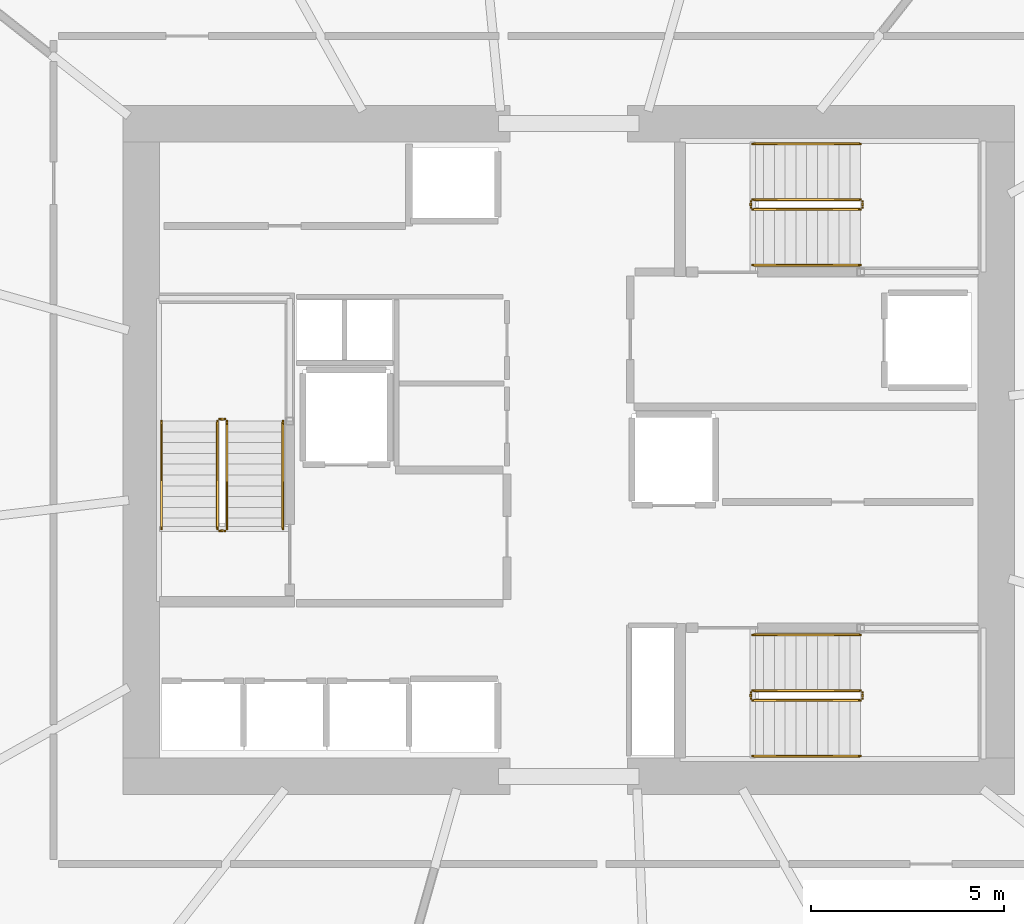
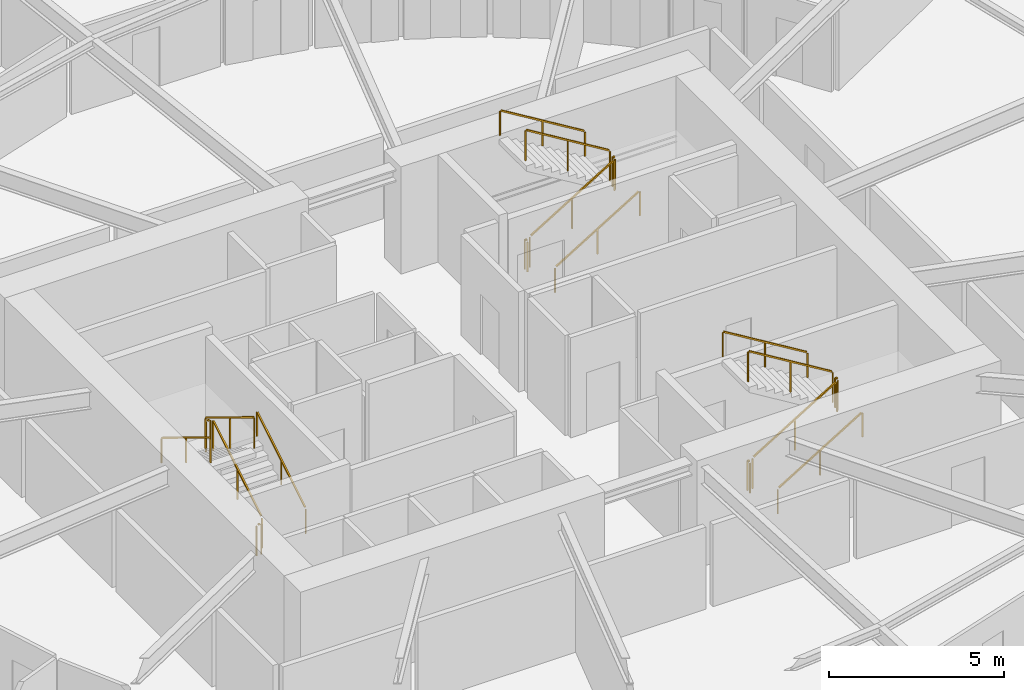
# One storey, part 22 of 22: 18 railings.
"""IFC4 building model written with IfcOpenShell, lengths in metres."""

from ifc_helpers import new_model, si_unit, direction, frame, origin, origin_2d, place, context, subcontext, project, spatial, rectangle, extrude, material, type_object, element, save


model = new_model("IFC4")

# Units and contexts
model_context = context("Model", 3, precision=1e-05, world=origin(), true_north=direction((0.0, 1.0)))
body_context = subcontext(model_context, "Body", "Model", "MODEL_VIEW")
ifc_project = project(units=[si_unit("LENGTHUNIT", "METRE"), si_unit("AREAUNIT", "SQUARE_METRE"), si_unit("VOLUMEUNIT", "CUBIC_METRE"), si_unit("PLANEANGLEUNIT", "RADIAN"), si_unit("MASSUNIT", "GRAM", prefix="KILO")], contexts=[model_context])

# Site, building, storey
site_placement = place(None, origin())
site = spatial("IfcSite", under=ifc_project, at=site_placement, CompositionType="ELEMENT")
building_placement = place(site_placement, origin())
building = spatial("IfcBuilding", under=site, at=building_placement, Name="Kazma Halo Residences", CompositionType="ELEMENT")
storey_placement = place(building_placement, frame((0.0, 0.0, 26.39990234375)))
storey = spatial("IfcBuildingStorey", under=building, at=storey_placement, Name="L05", CompositionType="ELEMENT", Elevation=26.39990234375)

# Railings
ifc_material_1 = material(Name="Painted Steel S355", Category="steel")
railing_type_1 = type_object("IfcRailingType", Name="RLG-STAIR-GRD-1100", PredefinedType="GUARDRAIL", material=ifc_material_1)
railing_1_placement = place(storey_placement, frame((39.550048828125, 39.949951171875, 0.170654296875)))
element("IfcRailing", 1, at=railing_1_placement, inside=storey, type_object=railing_type_1, Name="L05 ST-01 stair guard 1", PredefinedType="GUARDRAIL", context=body_context, shape_type="SweptSolid", body=[
    extrude(rectangle(XDim=0.050048828125, YDim=0.050048828125, at=origin_2d()), frame((0.0, 0.036376953125, 1.09716796875), z_axis=(0.0, 0.854202870247, 0.519939858505), x_axis=(-1.0, 0.0, 0.0)), (0.0, 0.0, 1.0), 3.19287109375),
    extrude(rectangle(XDim=0.0400390625, YDim=0.0400390625, at=origin_2d()), origin(), (0.0, 0.0, 1.0), 1.0380859375),
    extrude(rectangle(XDim=0.0400390625, YDim=0.0400390625, at=origin_2d()), frame((0.0, 1.39990234375, 0.85205078125)), (0.0, 0.0, 1.0), 1.0380859375),
    extrude(rectangle(XDim=0.0400390625, YDim=0.0400390625, at=origin_2d()), frame((0.0, 2.800048828125, 1.704345703125)), (0.0, 0.0, 1.0), 1.0380859375),
])
railing_2_placement = place(storey_placement, frame((39.5, 42.800048828125, 1.875)))
element("IfcRailing", 2, at=railing_2_placement, inside=storey, type_object=railing_type_1, Name="L05 ST-01 stair guard 2", PredefinedType="GUARDRAIL", context=body_context, shape_type="SweptSolid", body=[
    extrude(rectangle(XDim=0.050048828125, YDim=0.050048828125, at=origin_2d()), frame((-0.04248046875, 0.0, 1.0751953125), z_axis=(-1.0, 0.0, 0.0), x_axis=(0.0, -1.0, 0.0)), (0.0, 0.0, 1.0), 0.06494140625),
    extrude(rectangle(XDim=0.0400390625, YDim=0.0400390625, at=origin_2d()), origin(), (0.0, 0.0, 1.0), 1.0380859375),
    extrude(rectangle(XDim=0.0400390625, YDim=0.0400390625, at=origin_2d()), frame((-0.14990234375, 0.0, 0.0)), (0.0, 0.0, 1.0), 1.0380859375),
])
railing_3_placement = place(storey_placement, frame((39.300048828125, 42.75, 2.045654296875)))
element("IfcRailing", 3, at=railing_3_placement, inside=storey, type_object=railing_type_1, Name="L05 ST-01 stair guard 3", PredefinedType="GUARDRAIL", context=body_context, shape_type="SweptSolid", body=[
    extrude(rectangle(XDim=0.050048828125, YDim=0.050048828125, at=origin_2d()), frame((0.0, -0.036376953125, 1.09716796875), z_axis=(0.0, -0.854202870247, 0.519939858505), x_axis=(1.0, 0.0, 0.0)), (0.0, 0.0, 1.0), 3.19287109375),
    extrude(rectangle(XDim=0.0400390625, YDim=0.0400390625, at=origin_2d()), origin(), (0.0, 0.0, 1.0), 1.0380859375),
    extrude(rectangle(XDim=0.0400390625, YDim=0.0400390625, at=origin_2d()), frame((0.0, -1.39990234375, 0.85205078125)), (0.0, 0.0, 1.0), 1.0380859375),
    extrude(rectangle(XDim=0.0400390625, YDim=0.0400390625, at=origin_2d()), frame((0.0, -2.800048828125, 1.704345703125)), (0.0, 0.0, 1.0), 1.0380859375),
])
railing_4_placement = place(storey_placement, frame((39.5, 39.89990234375, 0.0)))
element("IfcRailing", 4, at=railing_4_placement, inside=storey, type_object=railing_type_1, Name="L05 ST-01 stair guard 4", PredefinedType="GUARDRAIL", context=body_context, shape_type="SweptSolid", body=[
    extrude(rectangle(XDim=0.050048828125, YDim=0.050048828125, at=origin_2d()), frame((-0.04248046875, 0.0, 1.0751953125), z_axis=(-1.0, 0.0, 0.0), x_axis=(0.0, -1.0, 0.0)), (0.0, 0.0, 1.0), 0.06494140625),
    extrude(rectangle(XDim=0.0400390625, YDim=0.0400390625, at=origin_2d()), origin(), (0.0, 0.0, 1.0), 1.0380859375),
    extrude(rectangle(XDim=0.0400390625, YDim=0.0400390625, at=origin_2d()), frame((-0.14990234375, 0.0, 0.0)), (0.0, 0.0, 1.0), 1.0380859375),
])
railing_5_placement = place(storey_placement, frame((53.199951171875, 48.25, 0.170654296875)))
element("IfcRailing", 5, at=railing_5_placement, inside=storey, type_object=railing_type_1, Name="L05 ST-02 stair guard 1", PredefinedType="GUARDRAIL", context=body_context, shape_type="SweptSolid", body=[
    extrude(rectangle(XDim=0.050048828125, YDim=0.050048828125, at=origin_2d()), frame((0.036376953125, 0.0, 1.09716796875), z_axis=(0.854202870247, 0.0, 0.519939858505), x_axis=(0.0, 1.0, 0.0)), (0.0, 0.0, 1.0), 3.19287109375),
    extrude(rectangle(XDim=0.0400390625, YDim=0.0400390625, at=origin_2d()), origin(), (0.0, 0.0, 1.0), 1.0380859375),
    extrude(rectangle(XDim=0.0400390625, YDim=0.0400390625, at=origin_2d()), frame((1.39990234375, 0.0, 0.85205078125)), (0.0, 0.0, 1.0), 1.0380859375),
    extrude(rectangle(XDim=0.0400390625, YDim=0.0400390625, at=origin_2d()), frame((2.800048828125, 0.0, 1.704345703125)), (0.0, 0.0, 1.0), 1.0380859375),
])
railing_6_placement = place(storey_placement, frame((56.050048828125, 48.300048828125, 1.875)))
element("IfcRailing", 6, at=railing_6_placement, inside=storey, type_object=railing_type_1, Name="L05 ST-02 stair guard 2", PredefinedType="GUARDRAIL", context=body_context, shape_type="SweptSolid", body=[
    extrude(rectangle(XDim=0.050048828125, YDim=0.050048828125, at=origin_2d()), frame((0.0, 0.04248046875, 1.0751953125), z_axis=(0.0, 1.0, 0.0), x_axis=(-1.0, 0.0, 0.0)), (0.0, 0.0, 1.0), 0.06494140625),
    extrude(rectangle(XDim=0.0400390625, YDim=0.0400390625, at=origin_2d()), origin(), (0.0, 0.0, 1.0), 1.0380859375),
    extrude(rectangle(XDim=0.0400390625, YDim=0.0400390625, at=origin_2d()), frame((0.0, 0.14990234375, 0.0)), (0.0, 0.0, 1.0), 1.0380859375),
])
railing_7_placement = place(storey_placement, frame((56.0, 48.5, 2.045654296875)))
element("IfcRailing", 7, at=railing_7_placement, inside=storey, type_object=railing_type_1, Name="L05 ST-02 stair guard 3", PredefinedType="GUARDRAIL", context=body_context, shape_type="SweptSolid", body=[
    extrude(rectangle(XDim=0.050048828125, YDim=0.050048828125, at=origin_2d()), frame((-0.036376953125, 0.0, 1.09716796875), z_axis=(-0.854202870247, 0.0, 0.519939858505), x_axis=(0.0, -1.0, 0.0)), (0.0, 0.0, 1.0), 3.19287109375),
    extrude(rectangle(XDim=0.0400390625, YDim=0.0400390625, at=origin_2d()), origin(), (0.0, 0.0, 1.0), 1.0380859375),
    extrude(rectangle(XDim=0.0400390625, YDim=0.0400390625, at=origin_2d()), frame((-1.39990234375, 0.0, 0.85205078125)), (0.0, 0.0, 1.0), 1.0380859375),
    extrude(rectangle(XDim=0.0400390625, YDim=0.0400390625, at=origin_2d()), frame((-2.800048828125, 0.0, 1.704345703125)), (0.0, 0.0, 1.0), 1.0380859375),
])
railing_8_placement = place(storey_placement, frame((53.14990234375, 48.300048828125, 0.0)))
element("IfcRailing", 8, at=railing_8_placement, inside=storey, type_object=railing_type_1, Name="L05 ST-02 stair guard 4", PredefinedType="GUARDRAIL", context=body_context, shape_type="SweptSolid", body=[
    extrude(rectangle(XDim=0.050048828125, YDim=0.050048828125, at=origin_2d()), frame((0.0, 0.04248046875, 1.0751953125), z_axis=(0.0, 1.0, 0.0), x_axis=(-1.0, 0.0, 0.0)), (0.0, 0.0, 1.0), 0.06494140625),
    extrude(rectangle(XDim=0.0400390625, YDim=0.0400390625, at=origin_2d()), origin(), (0.0, 0.0, 1.0), 1.0380859375),
    extrude(rectangle(XDim=0.0400390625, YDim=0.0400390625, at=origin_2d()), frame((0.0, 0.14990234375, 0.0)), (0.0, 0.0, 1.0), 1.0380859375),
])
railing_9_placement = place(storey_placement, frame((53.199951171875, 35.5, 0.170654296875)))
element("IfcRailing", 9, at=railing_9_placement, inside=storey, type_object=railing_type_1, Name="L05 ST-03 stair guard 1", PredefinedType="GUARDRAIL", context=body_context, shape_type="SweptSolid", body=[
    extrude(rectangle(XDim=0.050048828125, YDim=0.050048828125, at=origin_2d()), frame((0.036376953125, 0.0, 1.09716796875), z_axis=(0.854202870247, 0.0, 0.519939858505), x_axis=(0.0, 1.0, 0.0)), (0.0, 0.0, 1.0), 3.19287109375),
    extrude(rectangle(XDim=0.0400390625, YDim=0.0400390625, at=origin_2d()), origin(), (0.0, 0.0, 1.0), 1.0380859375),
    extrude(rectangle(XDim=0.0400390625, YDim=0.0400390625, at=origin_2d()), frame((1.39990234375, 0.0, 0.85205078125)), (0.0, 0.0, 1.0), 1.0380859375),
    extrude(rectangle(XDim=0.0400390625, YDim=0.0400390625, at=origin_2d()), frame((2.800048828125, 0.0, 1.704345703125)), (0.0, 0.0, 1.0), 1.0380859375),
])
railing_10_placement = place(storey_placement, frame((56.050048828125, 35.550048828125, 1.875)))
element("IfcRailing", 10, at=railing_10_placement, inside=storey, type_object=railing_type_1, Name="L05 ST-03 stair guard 2", PredefinedType="GUARDRAIL", context=body_context, shape_type="SweptSolid", body=[
    extrude(rectangle(XDim=0.050048828125, YDim=0.050048828125, at=origin_2d()), frame((0.0, 0.04248046875, 1.0751953125), z_axis=(0.0, 1.0, 0.0), x_axis=(-1.0, 0.0, 0.0)), (0.0, 0.0, 1.0), 0.06494140625),
    extrude(rectangle(XDim=0.0400390625, YDim=0.0400390625, at=origin_2d()), origin(), (0.0, 0.0, 1.0), 1.0380859375),
    extrude(rectangle(XDim=0.0400390625, YDim=0.0400390625, at=origin_2d()), frame((0.0, 0.14990234375, 0.0)), (0.0, 0.0, 1.0), 1.0380859375),
])
railing_11_placement = place(storey_placement, frame((56.0, 35.75, 2.045654296875)))
element("IfcRailing", 11, at=railing_11_placement, inside=storey, type_object=railing_type_1, Name="L05 ST-03 stair guard 3", PredefinedType="GUARDRAIL", context=body_context, shape_type="SweptSolid", body=[
    extrude(rectangle(XDim=0.050048828125, YDim=0.050048828125, at=origin_2d()), frame((-0.036376953125, 0.0, 1.09716796875), z_axis=(-0.854202870247, 0.0, 0.519939858505), x_axis=(0.0, -1.0, 0.0)), (0.0, 0.0, 1.0), 3.19287109375),
    extrude(rectangle(XDim=0.0400390625, YDim=0.0400390625, at=origin_2d()), origin(), (0.0, 0.0, 1.0), 1.0380859375),
    extrude(rectangle(XDim=0.0400390625, YDim=0.0400390625, at=origin_2d()), frame((-1.39990234375, 0.0, 0.85205078125)), (0.0, 0.0, 1.0), 1.0380859375),
    extrude(rectangle(XDim=0.0400390625, YDim=0.0400390625, at=origin_2d()), frame((-2.800048828125, 0.0, 1.704345703125)), (0.0, 0.0, 1.0), 1.0380859375),
])
railing_12_placement = place(storey_placement, frame((53.14990234375, 35.550048828125, 0.0)))
element("IfcRailing", 12, at=railing_12_placement, inside=storey, type_object=railing_type_1, Name="L05 ST-03 stair guard 4", PredefinedType="GUARDRAIL", context=body_context, shape_type="SweptSolid", body=[
    extrude(rectangle(XDim=0.050048828125, YDim=0.050048828125, at=origin_2d()), frame((0.0, 0.04248046875, 1.0751953125), z_axis=(0.0, 1.0, 0.0), x_axis=(-1.0, 0.0, 0.0)), (0.0, 0.0, 1.0), 0.06494140625),
    extrude(rectangle(XDim=0.0400390625, YDim=0.0400390625, at=origin_2d()), origin(), (0.0, 0.0, 1.0), 1.0380859375),
    extrude(rectangle(XDim=0.0400390625, YDim=0.0400390625, at=origin_2d()), frame((0.0, 0.14990234375, 0.0)), (0.0, 0.0, 1.0), 1.0380859375),
])
ifc_material_2 = material(Name="Brushed Stainless Steel", Category="steel")
railing_type_2 = type_object("IfcRailingType", Name="RLG-STAIR-HND-900", PredefinedType="HANDRAIL", material=ifc_material_2)
railing_13_placement = place(storey_placement, frame((41.0, 39.949951171875, 0.170654296875)))
element("IfcRailing", 13, at=railing_13_placement, inside=storey, type_object=railing_type_2, Name="L05 ST-01 stair handrail 1", PredefinedType="HANDRAIL", context=body_context, shape_type="SweptSolid", body=[
    extrude(rectangle(XDim=0.050048828125, YDim=0.050048828125, at=origin_2d()), frame((0.0, 0.036376953125, 0.89697265625), z_axis=(0.0, 0.854202870247, 0.519939858505), x_axis=(-1.0, 0.0, 0.0)), (0.0, 0.0, 1.0), 3.19287109375),
    extrude(rectangle(XDim=0.0400390625, YDim=0.0400390625, at=origin_2d()), origin(), (0.0, 0.0, 1.0), 0.837890625),
    extrude(rectangle(XDim=0.0400390625, YDim=0.0400390625, at=origin_2d()), frame((0.0, 1.39990234375, 0.85205078125)), (0.0, 0.0, 1.0), 0.837890625),
    extrude(rectangle(XDim=0.0400390625, YDim=0.0400390625, at=origin_2d()), frame((0.0, 2.800048828125, 1.704345703125)), (0.0, 0.0, 1.0), 0.837890625),
])
railing_14_placement = place(storey_placement, frame((37.85009765625, 42.75, 2.045654296875)))
element("IfcRailing", 14, at=railing_14_placement, inside=storey, type_object=railing_type_2, Name="L05 ST-01 stair handrail 2", PredefinedType="HANDRAIL", context=body_context, shape_type="SweptSolid", body=[
    extrude(rectangle(XDim=0.050048828125, YDim=0.050048828125, at=origin_2d()), frame((0.0, -0.036376953125, 0.89697265625), z_axis=(0.0, -0.854202870247, 0.519939858505), x_axis=(1.0, 0.0, 0.0)), (0.0, 0.0, 1.0), 3.19287109375),
    extrude(rectangle(XDim=0.0400390625, YDim=0.0400390625, at=origin_2d()), origin(), (0.0, 0.0, 1.0), 0.837890625),
    extrude(rectangle(XDim=0.0400390625, YDim=0.0400390625, at=origin_2d()), frame((0.0, -1.39990234375, 0.85205078125)), (0.0, 0.0, 1.0), 0.837890625),
    extrude(rectangle(XDim=0.0400390625, YDim=0.0400390625, at=origin_2d()), frame((0.0, -2.800048828125, 1.704345703125)), (0.0, 0.0, 1.0), 0.837890625),
])
railing_15_placement = place(storey_placement, frame((53.199951171875, 46.800048828125, 0.170654296875)))
element("IfcRailing", 15, at=railing_15_placement, inside=storey, type_object=railing_type_2, Name="L05 ST-02 stair handrail 1", PredefinedType="HANDRAIL", context=body_context, shape_type="SweptSolid", body=[
    extrude(rectangle(XDim=0.050048828125, YDim=0.050048828125, at=origin_2d()), frame((0.036376953125, 0.0, 0.89697265625), z_axis=(0.854202870247, 0.0, 0.519939858505), x_axis=(0.0, 1.0, 0.0)), (0.0, 0.0, 1.0), 3.19287109375),
    extrude(rectangle(XDim=0.0400390625, YDim=0.0400390625, at=origin_2d()), origin(), (0.0, 0.0, 1.0), 0.837890625),
    extrude(rectangle(XDim=0.0400390625, YDim=0.0400390625, at=origin_2d()), frame((1.39990234375, 0.0, 0.85205078125)), (0.0, 0.0, 1.0), 0.837890625),
    extrude(rectangle(XDim=0.0400390625, YDim=0.0400390625, at=origin_2d()), frame((2.800048828125, 0.0, 1.704345703125)), (0.0, 0.0, 1.0), 0.837890625),
])
railing_16_placement = place(storey_placement, frame((56.0, 49.949951171875, 2.045654296875)))
element("IfcRailing", 16, at=railing_16_placement, inside=storey, type_object=railing_type_2, Name="L05 ST-02 stair handrail 2", PredefinedType="HANDRAIL", context=body_context, shape_type="SweptSolid", body=[
    extrude(rectangle(XDim=0.050048828125, YDim=0.050048828125, at=origin_2d()), frame((-0.036376953125, 0.0, 0.89697265625), z_axis=(-0.854202870247, 0.0, 0.519939858505), x_axis=(0.0, -1.0, 0.0)), (0.0, 0.0, 1.0), 3.19287109375),
    extrude(rectangle(XDim=0.0400390625, YDim=0.0400390625, at=origin_2d()), origin(), (0.0, 0.0, 1.0), 0.837890625),
    extrude(rectangle(XDim=0.0400390625, YDim=0.0400390625, at=origin_2d()), frame((-1.39990234375, 0.0, 0.85205078125)), (0.0, 0.0, 1.0), 0.837890625),
    extrude(rectangle(XDim=0.0400390625, YDim=0.0400390625, at=origin_2d()), frame((-2.800048828125, 0.0, 1.704345703125)), (0.0, 0.0, 1.0), 0.837890625),
])
railing_17_placement = place(storey_placement, frame((53.199951171875, 34.050048828125, 0.170654296875)))
element("IfcRailing", 17, at=railing_17_placement, inside=storey, type_object=railing_type_2, Name="L05 ST-03 stair handrail 1", PredefinedType="HANDRAIL", context=body_context, shape_type="SweptSolid", body=[
    extrude(rectangle(XDim=0.050048828125, YDim=0.050048828125, at=origin_2d()), frame((0.036376953125, 0.0, 0.89697265625), z_axis=(0.854202870247, 0.0, 0.519939858505), x_axis=(0.0, 1.0, 0.0)), (0.0, 0.0, 1.0), 3.19287109375),
    extrude(rectangle(XDim=0.0400390625, YDim=0.0400390625, at=origin_2d()), origin(), (0.0, 0.0, 1.0), 0.837890625),
    extrude(rectangle(XDim=0.0400390625, YDim=0.0400390625, at=origin_2d()), frame((1.39990234375, 0.0, 0.85205078125)), (0.0, 0.0, 1.0), 0.837890625),
    extrude(rectangle(XDim=0.0400390625, YDim=0.0400390625, at=origin_2d()), frame((2.800048828125, 0.0, 1.704345703125)), (0.0, 0.0, 1.0), 0.837890625),
])
railing_18_placement = place(storey_placement, frame((56.0, 37.199951171875, 2.045654296875)))
element("IfcRailing", 18, at=railing_18_placement, inside=storey, type_object=railing_type_2, Name="L05 ST-03 stair handrail 2", PredefinedType="HANDRAIL", context=body_context, shape_type="SweptSolid", body=[
    extrude(rectangle(XDim=0.050048828125, YDim=0.050048828125, at=origin_2d()), frame((-0.036376953125, 0.0, 0.89697265625), z_axis=(-0.854202870247, 0.0, 0.519939858505), x_axis=(0.0, -1.0, 0.0)), (0.0, 0.0, 1.0), 3.19287109375),
    extrude(rectangle(XDim=0.0400390625, YDim=0.0400390625, at=origin_2d()), origin(), (0.0, 0.0, 1.0), 0.837890625),
    extrude(rectangle(XDim=0.0400390625, YDim=0.0400390625, at=origin_2d()), frame((-1.39990234375, 0.0, 0.85205078125)), (0.0, 0.0, 1.0), 0.837890625),
    extrude(rectangle(XDim=0.0400390625, YDim=0.0400390625, at=origin_2d()), frame((-2.800048828125, 0.0, 1.704345703125)), (0.0, 0.0, 1.0), 0.837890625),
])

save(model, "model.ifc")
